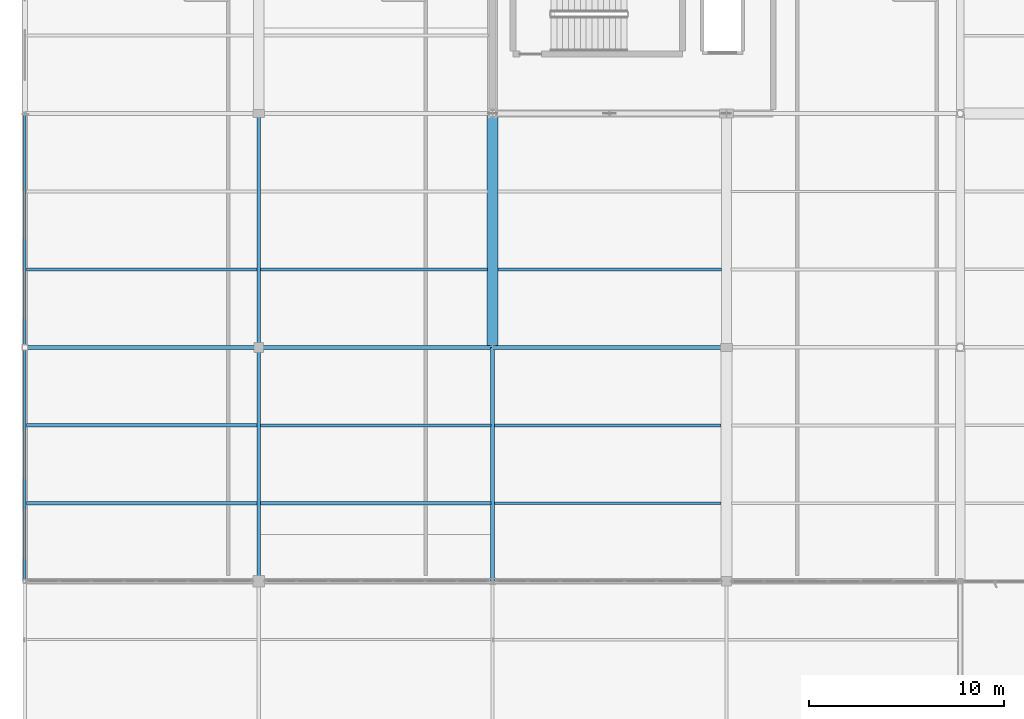
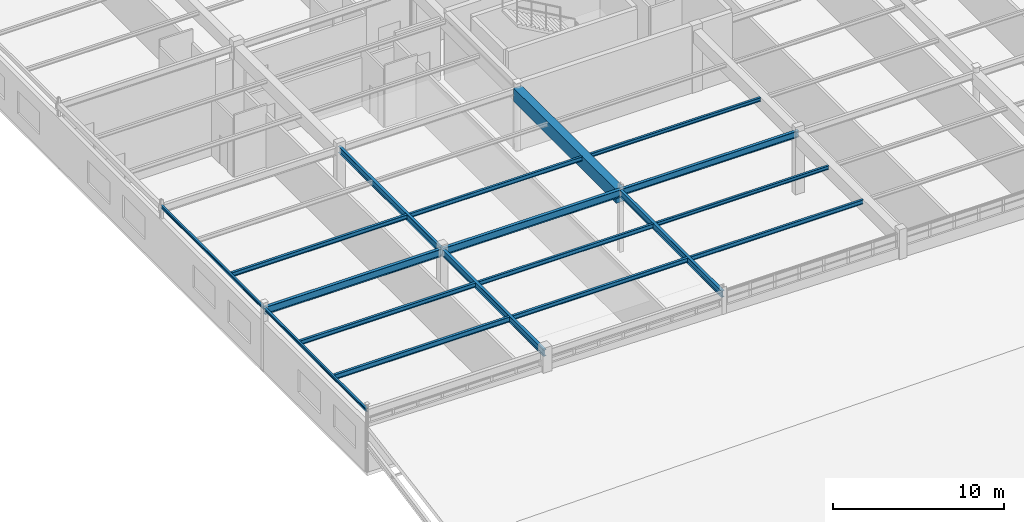
# One storey, part 73 of 226: 18 beams.
"""IFC4 building model written with IfcOpenShell, lengths in metres."""

import ifcopenshell
import ifcopenshell.guid

model = None  # the IFC model being written
_history = None  # IfcOwnerHistory: only IFC2X3 demands one
_inside = {}  # id of a spatial element -> (the spatial element, [elements in it])
_under = {}  # id of a project, library or spatial element -> (it, [spatial elements below it])
_declared = {}  # id of a project -> (the project, [libraries it declares])
_typed = {}  # id of a type object -> (the type object, [elements of that type])
_made_of = {}  # id of a material, layer set ... -> (it, [elements and type objects made of it])


def new_model(schema):
    """Start an empty IFC model of exactly this schema.

    Asked for "IFC4X3", IfcOpenShell would pick the latest addendum, in which some entities
    have other attributes; the version numbers below select the first issue.
    IFC2X3 requires an IfcOwnerHistory on every rooted entity: one is made here for all.
    """
    global model, _history
    if schema == "IFC4X3":
        model = ifcopenshell.file(schema_version=(4, 3, 0, 0))
    else:
        model = ifcopenshell.file(schema=schema)
    _inside.clear()
    _under.clear()
    _declared.clear()
    _typed.clear()
    _made_of.clear()
    _history = None
    if model.schema == "IFC2X3":
        org = make("IfcOrganization", Name="unknown")
        user = make(
            "IfcPersonAndOrganization",
            ThePerson=make("IfcPerson", FamilyName="unknown"),
            TheOrganization=org,
        )
        app = make(
            "IfcApplication",
            ApplicationDeveloper=org,
            Version="unknown",
            ApplicationFullName="unknown",
            ApplicationIdentifier="unknown",
        )
        _history = make(
            "IfcOwnerHistory",
            OwningUser=user,
            OwningApplication=app,
            ChangeAction="ADDED",
            CreationDate=0,
        )
    return model


def make(cls, **values):
    """One entity of the class cls with the attributes given. An attribute that is None is left unset."""
    return model.create_entity(
        cls, **{name: value for name, value in values.items() if value is not None}
    )


def rooted(cls, **values):
    """An entity with a GlobalId (a new one), such as an element, a storey or a relation."""
    return make(cls, GlobalId=ifcopenshell.guid.new(), OwnerHistory=_history, **values)


def si_unit(unit_type, name, prefix=None):
    """IfcSIUnit, for example si_unit("LENGTHUNIT", "METRE", prefix="MILLI")."""
    return make("IfcSIUnit", UnitType=unit_type, Prefix=prefix, Name=name)


def assignment(units):
    """IfcUnitAssignment: the units of a project."""
    return None if units is None else make("IfcUnitAssignment", Units=units)


def point(xyz):
    """IfcCartesianPoint."""
    return None if xyz is None else make("IfcCartesianPoint", Coordinates=xyz)


def direction(xyz):
    """IfcDirection."""
    return None if xyz is None else make("IfcDirection", DirectionRatios=xyz)


def frame(location, z_axis=None, x_axis=None):
    """IfcAxis2Placement3D, a coordinate frame: its origin and axes. An axis left out is left unset."""
    return make(
        "IfcAxis2Placement3D",
        Location=point(location),
        Axis=direction(z_axis),
        RefDirection=direction(x_axis),
    )


def frame_2d(location, x_axis=None):
    """IfcAxis2Placement2D, a coordinate frame in the plane: its origin and x axis."""
    return make(
        "IfcAxis2Placement2D", Location=point(location), RefDirection=direction(x_axis)
    )


def origin():
    """The frame at (0, 0, 0) with its axes left unset."""
    return frame((0.0, 0.0, 0.0))


def origin_2d():
    """The frame at (0, 0) in the plane with its x axis left unset."""
    return frame_2d((0.0, 0.0))


def place(relative_to, where):
    """IfcLocalPlacement: puts the frame where relative to a parent placement (None: the world)."""
    return make(
        "IfcLocalPlacement", PlacementRelTo=relative_to, RelativePlacement=where
    )


def context(
    kind, dimensions, precision=None, world=None, true_north=None, identifier=None
):
    """IfcGeometricRepresentationContext, for example the 3D "Model" context."""
    return make(
        "IfcGeometricRepresentationContext",
        ContextIdentifier=identifier,
        ContextType=kind,
        CoordinateSpaceDimension=dimensions,
        Precision=precision,
        WorldCoordinateSystem=world,
        TrueNorth=true_north,
    )


def subcontext(parent, identifier, kind, view, scale=None):
    """IfcGeometricRepresentationSubContext, for example "Body" below "Model"."""
    return make(
        "IfcGeometricRepresentationSubContext",
        ContextIdentifier=identifier,
        ContextType=kind,
        ParentContext=parent,
        TargetScale=scale,
        TargetView=view,
    )


def project(units=None, contexts=None):
    """IfcProject with its units and contexts."""
    return rooted(
        "IfcProject",
        Name="project",
        RepresentationContexts=contexts,
        UnitsInContext=assignment(units),
    )


def spatial(cls, under=None, at=None, **own):
    """A site, building, storey or space (cls), placed at a placement, below another one or the project."""
    s = rooted(cls, ObjectPlacement=at, **own)
    if under is not None:
        _under.setdefault(under.id(), (under, []))[1].append(s)
    return s


def profile(cls, at=None, kind="AREA", **sizes):
    """A parametric profile (cls). Its sizes go by their IFC names, for example OverallWidth=200.0."""
    return make(cls, ProfileType=kind, Position=at, **sizes)


def rectangle(**sizes):
    """IfcRectangleProfileDef."""
    return profile("IfcRectangleProfileDef", **sizes)


def i_section(**sizes):
    """IfcIShapeProfileDef."""
    return profile("IfcIShapeProfileDef", **sizes)


def extrude(swept, where, along, depth):
    """IfcExtrudedAreaSolid: the profile swept, set in the frame where, extruded along a direction by depth."""
    return make(
        "IfcExtrudedAreaSolid",
        SweptArea=swept,
        Position=where,
        ExtrudedDirection=direction(along),
        Depth=depth,
    )


def shape(context_of_items, identifier, shape_type, items):
    """IfcShapeRepresentation: the items that make up one representation, for example the "Body"."""
    return make(
        "IfcShapeRepresentation",
        ContextOfItems=context_of_items,
        RepresentationIdentifier=identifier,
        RepresentationType=shape_type,
        Items=items,
    )


def material(Name=None, Category=None):
    """IfcMaterial."""
    return make("IfcMaterial", Name=Name, Category=Category)


def material_profile(
    of_material, cross_section, Name=None, Category=None, Priority=None
):
    """IfcMaterialProfile: a cross section and its material."""
    return make(
        "IfcMaterialProfile",
        Name=Name,
        Material=of_material,
        Profile=cross_section,
        Priority=Priority,
        Category=Category,
    )


def profile_set(profiles, Name=None, composite=None):
    """IfcMaterialProfileSet."""
    return make(
        "IfcMaterialProfileSet",
        Name=Name,
        MaterialProfiles=profiles,
        CompositeProfile=composite,
    )


def made_of(thing, what):
    """Note that an element or type object is made of a material, layer set ...; save() writes the relation."""
    if what is not None:
        _made_of.setdefault(what.id(), (what, []))[1].append(thing)
    return thing


def type_object(cls, material=None, **own):
    """A type object (cls), such as IfcWallType, which elements share."""
    return made_of(rooted(cls, **own), material)


def element(
    cls,
    number,
    at=None,
    inside=None,
    cuts=None,
    type_object=None,
    material=None,
    context=None,
    identifier="Body",
    shape_type=None,
    held_by="IfcProductDefinitionShape",
    body=None,
    shapes=None,
    **own,
):
    """One element of the class cls, such as IfcWall. Its Tag is "e" and its number.

    at: its placement. inside: the storey or other place that contains it. cuts: it is an
    opening in that element (IfcRelVoidsElement). A single representation is given by context,
    identifier, shape_type and body (its items); several are given by shapes. held_by: the class
    of the entity that holds the representations. save() writes the other relations.
    """
    e = rooted(cls, Tag="e%d" % number, ObjectPlacement=at, **own)
    if body is not None:
        shapes = [shape(context, identifier, shape_type, body)]
    if shapes is not None:
        e.Representation = make(held_by, Representations=shapes)
    if inside is not None:
        _inside.setdefault(inside.id(), (inside, []))[1].append(e)
    if cuts is not None:
        rooted(
            "IfcRelVoidsElement", RelatingBuildingElement=cuts, RelatedOpeningElement=e
        )
    if type_object is not None:
        _typed.setdefault(type_object.id(), (type_object, []))[1].append(e)
    return made_of(e, material)


def aggregate(whole, parts):
    """IfcRelAggregates: a whole, such as a stair, and the parts it consists of."""
    return rooted("IfcRelAggregates", RelatingObject=whole, RelatedObjects=parts)


def save(model, path):
    """Write the relations noted so far, then the file.

    IfcRelAggregates (storeys below a building ...), IfcRelContainedInSpatialStructure (elements
    in a storey), IfcRelDefinesByType, IfcRelAssociatesMaterial and IfcRelDeclares: one each for
    every whole, place, type object, material and project.
    """
    for whole, parts in _under.values():
        aggregate(whole, parts)
    for where, things in _inside.values():
        rooted(
            "IfcRelContainedInSpatialStructure",
            RelatedElements=things,
            RelatingStructure=where,
        )
    for kind, things in _typed.values():
        rooted("IfcRelDefinesByType", RelatedObjects=things, RelatingType=kind)
    for what, things in _made_of.values():
        rooted("IfcRelAssociatesMaterial", RelatedObjects=things, RelatingMaterial=what)
    for by, libraries in _declared.values():
        rooted("IfcRelDeclares", RelatingContext=by, RelatedDefinitions=libraries)
    model.write(path)


model = new_model("IFC4")

# Units and contexts
model_context = context("Model", 3, precision=1e-05, world=origin(), true_north=direction((0.0, 1.0)))
body_context = subcontext(model_context, "Body", "Model", "MODEL_VIEW")
ifc_project = project(units=[si_unit("LENGTHUNIT", "METRE"), si_unit("AREAUNIT", "SQUARE_METRE"), si_unit("VOLUMEUNIT", "CUBIC_METRE"), si_unit("PLANEANGLEUNIT", "RADIAN"), si_unit("MASSUNIT", "GRAM", prefix="KILO")], contexts=[model_context])

# Site, building, storey
site_placement = place(None, origin())
site = spatial("IfcSite", under=ifc_project, at=site_placement, CompositionType="ELEMENT")
building_placement = place(site_placement, origin())
building = spatial("IfcBuilding", under=site, at=building_placement, Name="Tarnwether General Hospital", CompositionType="ELEMENT")
storey_placement = place(building_placement, frame((0.0, 0.0, 4.800048828125)))
storey = spatial("IfcBuildingStorey", under=building, at=storey_placement, Name="L01", CompositionType="ELEMENT", Elevation=4.800048828125)

# Beams
ifc_material_1 = material(Name="Steel Grade 350 (350 MPa)", Category="steel")
ifc_material_profile_1 = material_profile(ifc_material_1, i_section(OverallWidth=0.208984375, OverallDepth=0.532958984375, WebThickness=0.01025390625, FlangeThickness=0.015625, at=origin_2d()), Name="530UB92.4")
ifc_profile_set_1 = profile_set([ifc_material_profile_1], Name="Steel Grade 350 (350 MPa)")
beam_type_1 = type_object("IfcBeamType", Name="BM-G06", PredefinedType="BEAM", material=ifc_profile_set_1)
beam_1_placement = place(storey_placement, frame((0.0, 57.60009765625, 4.163330078125), z_axis=(1.0, 0.0, 0.0), x_axis=(0.0, 1.0, 0.0)))
element("IfcBeam", 1, at=beam_1_placement, inside=storey, type_object=beam_type_1, Name="Primary Girder BMG-L01-0_5760-1200_5760-1047", PredefinedType="BEAM", context=body_context, shape_type="SweptSolid", body=[
    extrude(i_section(OverallWidth=0.208984375, OverallDepth=0.532958984375, WebThickness=0.01025390625, FlangeThickness=0.015625, at=origin_2d()), origin(), (0.0, 0.0, 1.0), 12.0),
])
ifc_material_2 = material(Name="Steel Grade 350 (350 MPa)", Category="steel")
ifc_material_profile_2 = material_profile(ifc_material_2, i_section(OverallWidth=0.208984375, OverallDepth=0.528076171875, WebThickness=0.009521484375, FlangeThickness=0.01318359375, at=origin_2d()), Name="530UB82.0")
ifc_profile_set_2 = profile_set([ifc_material_profile_2], Name="Steel Grade 350 (350 MPa)")
beam_type_2 = type_object("IfcBeamType", Name="BM-G07", PredefinedType="BEAM", material=ifc_profile_set_2)
beam_2_placement = place(storey_placement, frame((12.0, 57.60009765625, 4.166015625), z_axis=(1.0, 0.0, 0.0), x_axis=(0.0, 1.0, 0.0)))
element("IfcBeam", 2, at=beam_2_placement, inside=storey, type_object=beam_type_2, Name="Primary Girder BMG-L01-1200_5760-2400_5760-1062", PredefinedType="BEAM", context=body_context, shape_type="SweptSolid", body=[
    extrude(i_section(OverallWidth=0.208984375, OverallDepth=0.528076171875, WebThickness=0.009521484375, FlangeThickness=0.01318359375, at=origin_2d()), origin(), (0.0, 0.0, 1.0), 12.0),
])
ifc_material_3 = material(Name="Steel Grade 350 (350 MPa)", Category="steel")
ifc_material_profile_3 = material_profile(ifc_material_3, i_section(OverallWidth=0.19091796875, OverallDepth=0.4599609375, WebThickness=0.010009765625, FlangeThickness=0.01611328125, at=origin_2d()), Name="460UB82.1")
ifc_profile_set_3 = profile_set([ifc_material_profile_3], Name="Steel Grade 350 (350 MPa)")
beam_type_3 = type_object("IfcBeamType", Name="BM-G08", PredefinedType="BEAM", material=ifc_profile_set_3)
beam_3_placement = place(storey_placement, frame((24.0, 57.60009765625, 4.199951171875), z_axis=(1.0, 0.0, 0.0), x_axis=(0.0, 1.0, 0.0)))
element("IfcBeam", 3, at=beam_3_placement, inside=storey, type_object=beam_type_3, Name="Primary Girder BMG-L01-2400_5760-3600_5760-1077", PredefinedType="BEAM", context=body_context, shape_type="SweptSolid", body=[
    extrude(i_section(OverallWidth=0.19091796875, OverallDepth=0.4599609375, WebThickness=0.010009765625, FlangeThickness=0.01611328125, at=origin_2d()), origin(), (0.0, 0.0, 1.0), 12.0),
])
ifc_material_4 = material(Name="Steel Grade 350 (350 MPa)", Category="steel")
ifc_material_profile_4 = material_profile(ifc_material_4, i_section(OverallWidth=0.18994140625, OverallDepth=0.45703125, WebThickness=0.009033203125, FlangeThickness=0.014404296875, at=origin_2d()), Name="460UB74.6")
ifc_profile_set_4 = profile_set([ifc_material_profile_4], Name="Steel Grade 350 (350 MPa)")
beam_type_4 = type_object("IfcBeamType", Name="BM-G09", PredefinedType="BEAM", material=ifc_profile_set_4)
beam_4_placement = place(storey_placement, frame((12.0, 45.60009765625, 4.201416015625), z_axis=(0.0, 1.0, 0.0), x_axis=(-1.0, 0.0, 0.0)))
element("IfcBeam", 4, at=beam_4_placement, inside=storey, type_object=beam_type_4, Name="Primary Girder BMG-L01-1200_4560-1200_5760-1061", PredefinedType="BEAM", context=body_context, shape_type="SweptSolid", body=[
    extrude(i_section(OverallWidth=0.18994140625, OverallDepth=0.45703125, WebThickness=0.009033203125, FlangeThickness=0.014404296875, at=origin_2d()), origin(), (0.0, 0.0, 1.0), 12.0),
])
ifc_material_5 = material(Name="Steel Grade 350 (350 MPa)", Category="steel")
ifc_material_profile_5 = material_profile(ifc_material_5, i_section(OverallWidth=0.18994140625, OverallDepth=0.4541015625, WebThickness=0.008544921875, FlangeThickness=0.0126953125, at=origin_2d()), Name="460UB67.1")
ifc_profile_set_5 = profile_set([ifc_material_profile_5], Name="Steel Grade 350 (350 MPa)")
beam_type_5 = type_object("IfcBeamType", Name="BM-G10", PredefinedType="BEAM", material=ifc_profile_set_5)
for number, where, z_axis, x_axis, name in (
    (5, (12.0, 57.60009765625, 4.202880859375), (0.0, 1.0, 0.0), (-1.0, 0.0, 0.0), "Primary Girder BMG-L01-1200_5760-1200_6960-1063"),
    (6, (24.0, 45.60009765625, 4.202880859375), (0.0, 1.0, 0.0), (-1.0, 0.0, 0.0), "Primary Girder BMG-L01-2400_4560-2400_5760-1076"),
):
    element("IfcBeam", number, at=place(storey_placement, frame(where, z_axis=z_axis, x_axis=x_axis)), inside=storey, type_object=beam_type_5, Name=name, PredefinedType="BEAM", context=body_context, shape_type="SweptSolid", body=[
        extrude(i_section(OverallWidth=0.18994140625, OverallDepth=0.4541015625, WebThickness=0.008544921875, FlangeThickness=0.0126953125, at=origin_2d()), origin(), (0.0, 0.0, 1.0), 12.0),
    ])
ifc_material_6 = material(Name="Concrete 40 MPa", Category="concrete")
ifc_material_profile_6 = material_profile(ifc_material_6, rectangle(XDim=0.550048828125, YDim=0.949951171875, at=origin_2d()), Name="RC-BM-550x950")
ifc_profile_set_6 = profile_set([ifc_material_profile_6], Name="Concrete 40 MPa")
beam_type_6 = type_object("IfcBeamType", Name="BM-G11", PredefinedType="BEAM", material=ifc_profile_set_6)
beam_5_placement = place(storey_placement, frame((24.0, 57.60009765625, 3.954833984375), z_axis=(0.0, 1.0, 0.0), x_axis=(-1.0, 0.0, 0.0)))
element("IfcBeam", 7, at=beam_5_placement, inside=storey, type_object=beam_type_6, Name="Primary Girder BMG-L01-2400_5760-2400_6960-1078", PredefinedType="BEAM", context=body_context, shape_type="SweptSolid", body=[
    extrude(rectangle(XDim=0.550048828125, YDim=0.949951171875, at=origin_2d()), origin(), (0.0, 0.0, 1.0), 12.0),
])
ifc_material_7 = material(Name="Steel Grade 350 (350 MPa)", Category="steel")
ifc_material_profile_7 = material_profile(ifc_material_7, i_section(OverallWidth=0.1708984375, OverallDepth=0.35205078125, WebThickness=0.0068359375, FlangeThickness=0.009765625, at=origin_2d()), Name="360UB44.7")
ifc_profile_set_7 = profile_set([ifc_material_profile_7], Name="Steel Grade 350 (350 MPa)")
beam_type_7 = type_object("IfcBeamType", Name="BM-J06", PredefinedType="JOIST", material=ifc_profile_set_7)
beam_6_placement = place(storey_placement, frame((0.080078125, 49.60009765625, 4.25390625), z_axis=(1.0, 0.0, 0.0), x_axis=(0.0, 1.0, 0.0)))
element("IfcBeam", 8, at=beam_6_placement, inside=storey, type_object=beam_type_7, Name="Composite Floor Joist BMG-L01-8_4960-1191_4960-1291", PredefinedType="JOIST", context=body_context, shape_type="SweptSolid", body=[
    extrude(i_section(OverallWidth=0.1708984375, OverallDepth=0.35205078125, WebThickness=0.0068359375, FlangeThickness=0.009765625, at=origin_2d()), origin(), (0.0, 0.0, 1.0), 11.830810546875),
])
ifc_material_8 = material(Name="Steel Grade 350 (350 MPa)", Category="steel")
ifc_material_profile_8 = material_profile(ifc_material_8, i_section(OverallWidth=0.1650390625, OverallDepth=0.303955078125, WebThickness=0.006103515625, FlangeThickness=0.01025390625, at=origin_2d()), Name="310UB40.4")
ifc_profile_set_8 = profile_set([ifc_material_profile_8], Name="Steel Grade 350 (350 MPa)")
beam_type_8 = type_object("IfcBeamType", Name="BM-J07", PredefinedType="JOIST", material=ifc_profile_set_8)
for number, where, z_axis, x_axis, name in (
    (9, (0.080078125, 53.60009765625, 4.27783203125), (1.0, 0.0, 0.0), (0.0, 1.0, 0.0), "Composite Floor Joist BMG-L01-8_5360-1191_5360-1292"),
    (10, (0.080078125, 61.60009765625, 4.27783203125), (1.0, 0.0, 0.0), (0.0, 1.0, 0.0), "Composite Floor Joist BMG-L01-8_6160-1191_6160-1293"),
):
    element("IfcBeam", number, at=place(storey_placement, frame(where, z_axis=z_axis, x_axis=x_axis)), inside=storey, type_object=beam_type_8, Name=name, PredefinedType="JOIST", context=body_context, shape_type="SweptSolid", body=[
        extrude(i_section(OverallWidth=0.1650390625, OverallDepth=0.303955078125, WebThickness=0.006103515625, FlangeThickness=0.01025390625, at=origin_2d()), origin(), (0.0, 0.0, 1.0), 11.830810546875),
    ])
beam_7_placement = place(storey_placement, frame((12.089111328125, 49.60009765625, 4.27783203125), z_axis=(1.0, 0.0, 0.0), x_axis=(0.0, 1.0, 0.0)))
element("IfcBeam", 11, at=beam_7_placement, inside=storey, type_object=beam_type_8, Name="Composite Floor Joist BMG-L01-1209_4960-2391_4960-1305", PredefinedType="JOIST", context=body_context, shape_type="SweptSolid", body=[
    extrude(i_section(OverallWidth=0.1650390625, OverallDepth=0.303955078125, WebThickness=0.006103515625, FlangeThickness=0.01025390625, at=origin_2d()), origin(), (0.0, 0.0, 1.0), 11.82177734375),
])
ifc_material_9 = material(Name="Steel Grade 350 (350 MPa)", Category="steel")
ifc_material_profile_9 = material_profile(ifc_material_9, i_section(OverallWidth=0.14892578125, OverallDepth=0.298095703125, WebThickness=0.005615234375, FlangeThickness=0.008056640625, at=origin_2d()), Name="310UB32.0")
ifc_profile_set_9 = profile_set([ifc_material_profile_9], Name="Steel Grade 350 (350 MPa)")
beam_type_9 = type_object("IfcBeamType", Name="BM-J08", PredefinedType="JOIST", material=ifc_profile_set_9)
beam_8_placement = place(storey_placement, frame((12.089111328125, 53.60009765625, 4.281005859375), z_axis=(1.0, 0.0, 0.0), x_axis=(0.0, 1.0, 0.0)))
element("IfcBeam", 12, at=beam_8_placement, inside=storey, type_object=beam_type_9, Name="Composite Floor Joist BMG-L01-1209_5360-2391_5360-1306", PredefinedType="JOIST", context=body_context, shape_type="SweptSolid", body=[
    extrude(i_section(OverallWidth=0.14892578125, OverallDepth=0.298095703125, WebThickness=0.005615234375, FlangeThickness=0.008056640625, at=origin_2d()), origin(), (0.0, 0.0, 1.0), 11.82177734375),
])
for number, where, z_axis, x_axis, name in (
    (13, (12.089111328125, 61.60009765625, 4.281005859375), (1.0, 0.0, 0.0), (0.0, 1.0, 0.0), "Composite Floor Joist BMG-L01-1209_6160-2373_6160-1307"),
    (14, (24.089111328125, 49.60009765625, 4.281005859375), (1.0, 0.0, 0.0), (0.0, 1.0, 0.0), "Composite Floor Joist BMG-L01-2409_4960-3573_4960-1319"),
):
    element("IfcBeam", number, at=place(storey_placement, frame(where, z_axis=z_axis, x_axis=x_axis)), inside=storey, type_object=beam_type_9, Name=name, PredefinedType="JOIST", context=body_context, shape_type="SweptSolid", body=[
        extrude(i_section(OverallWidth=0.14892578125, OverallDepth=0.298095703125, WebThickness=0.005615234375, FlangeThickness=0.008056640625, at=origin_2d()), origin(), (0.0, 0.0, 1.0), 11.641845703125),
    ])
ifc_material_10 = material(Name="Steel Grade 350 (350 MPa)", Category="steel")
ifc_material_profile_10 = material_profile(ifc_material_10, i_section(OverallWidth=0.14599609375, OverallDepth=0.256103515625, WebThickness=0.00634765625, FlangeThickness=0.010986328125, at=origin_2d()), Name="250UB37.3")
ifc_profile_set_10 = profile_set([ifc_material_profile_10], Name="Steel Grade 350 (350 MPa)")
beam_type_10 = type_object("IfcBeamType", Name="BM-J09", PredefinedType="JOIST", material=ifc_profile_set_10)
beam_9_placement = place(storey_placement, frame((24.089111328125, 53.60009765625, 4.302001953125), z_axis=(1.0, 0.0, 0.0), x_axis=(0.0, 1.0, 0.0)))
element("IfcBeam", 15, at=beam_9_placement, inside=storey, type_object=beam_type_10, Name="Composite Floor Joist BMG-L01-2409_5360-3573_5360-1320", PredefinedType="JOIST", context=body_context, shape_type="SweptSolid", body=[
    extrude(i_section(OverallWidth=0.14599609375, OverallDepth=0.256103515625, WebThickness=0.00634765625, FlangeThickness=0.010986328125, at=origin_2d()), origin(), (0.0, 0.0, 1.0), 11.641845703125),
])
beam_10_placement = place(storey_placement, frame((24.26904296875, 61.60009765625, 4.302001953125), z_axis=(1.0, 0.0, 0.0), x_axis=(0.0, 1.0, 0.0)))
element("IfcBeam", 16, at=beam_10_placement, inside=storey, type_object=beam_type_10, Name="Composite Floor Joist BMG-L01-2427_6160-3576_6160-1321", PredefinedType="JOIST", context=body_context, shape_type="SweptSolid", body=[
    extrude(i_section(OverallWidth=0.14599609375, OverallDepth=0.256103515625, WebThickness=0.00634765625, FlangeThickness=0.010986328125, at=origin_2d()), origin(), (0.0, 0.0, 1.0), 11.487060546875),
])
ifc_material_11 = material(Name="Steel Grade 350 (350 MPa)", Category="steel")
ifc_material_profile_11 = material_profile(ifc_material_11, i_section(OverallWidth=0.133056640625, OverallDepth=0.202880859375, WebThickness=0.005859375, FlangeThickness=0.0078125, at=origin_2d()), Name="200UB25.4")
ifc_profile_set_11 = profile_set([ifc_material_profile_11], Name="Steel Grade 350 (350 MPa)")
beam_type_11 = type_object("IfcBeamType", Name="BM-SP5", PredefinedType="SPANDREL", material=ifc_profile_set_11)
beam_11_placement = place(storey_placement, frame((0.0, 45.60009765625, 4.328369140625), z_axis=(0.0, 1.0, 0.0), x_axis=(-1.0, 0.0, 0.0)))
element("IfcBeam", 17, at=beam_11_placement, inside=storey, type_object=beam_type_11, Name="Primary Girder BMG-L01-0_4560-0_5760-1046", PredefinedType="SPANDREL", context=body_context, shape_type="SweptSolid", body=[
    extrude(i_section(OverallWidth=0.133056640625, OverallDepth=0.202880859375, WebThickness=0.005859375, FlangeThickness=0.0078125, at=origin_2d()), origin(), (0.0, 0.0, 1.0), 12.0),
])
ifc_material_12 = material(Name="Steel Grade 350 (350 MPa)", Category="steel")
ifc_material_profile_12 = material_profile(ifc_material_12, i_section(OverallWidth=0.133056640625, OverallDepth=0.201904296875, WebThickness=0.0048828125, FlangeThickness=0.007080078125, at=origin_2d()), Name="200UB22.3")
ifc_profile_set_12 = profile_set([ifc_material_profile_12], Name="Steel Grade 350 (350 MPa)")
beam_type_12 = type_object("IfcBeamType", Name="BM-SP6", PredefinedType="SPANDREL", material=ifc_profile_set_12)
beam_12_placement = place(storey_placement, frame((0.0, 57.60009765625, 4.328857421875), z_axis=(0.0, 1.0, 0.0), x_axis=(-1.0, 0.0, 0.0)))
element("IfcBeam", 18, at=beam_12_placement, inside=storey, type_object=beam_type_12, Name="Primary Girder BMG-L01-0_5760-0_6960-1048", PredefinedType="SPANDREL", context=body_context, shape_type="SweptSolid", body=[
    extrude(i_section(OverallWidth=0.133056640625, OverallDepth=0.201904296875, WebThickness=0.0048828125, FlangeThickness=0.007080078125, at=origin_2d()), origin(), (0.0, 0.0, 1.0), 12.0),
])

save(model, "model.ifc")
